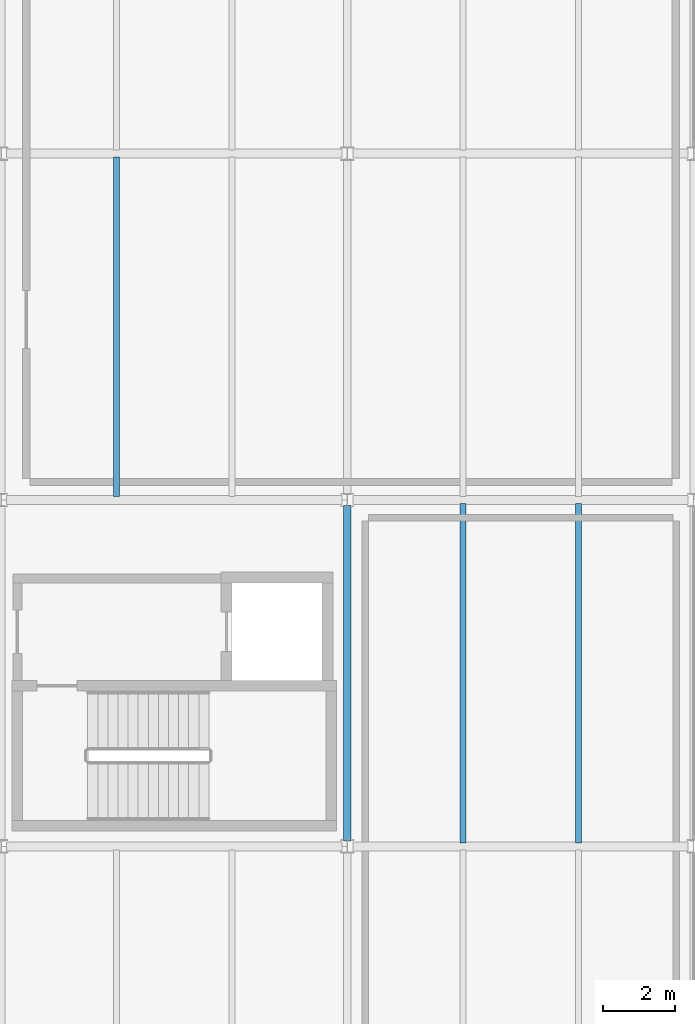
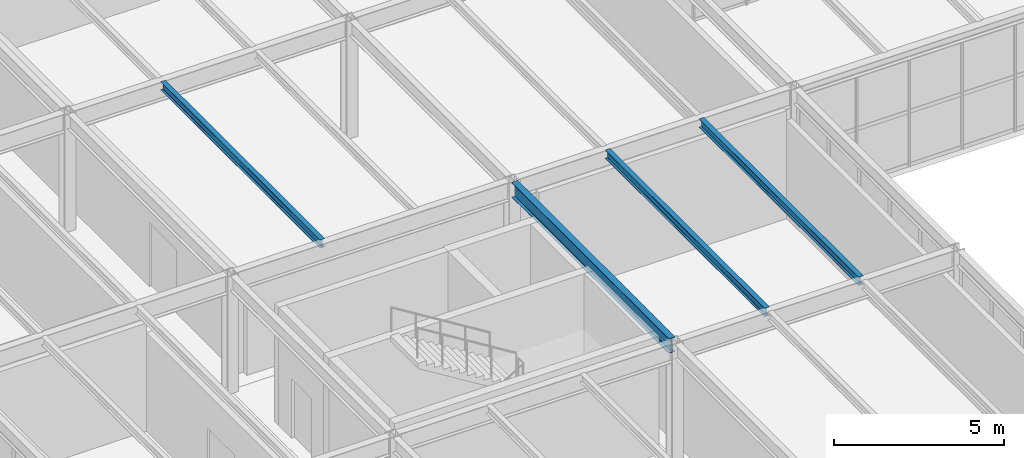
# One storey, part 41 of 170: 4 beams.
"""IFC4 building model written with IfcOpenShell, lengths in metres."""

import ifcopenshell
import ifcopenshell.guid

model = None  # the IFC model being written
_history = None  # IfcOwnerHistory: only IFC2X3 demands one
_inside = {}  # id of a spatial element -> (the spatial element, [elements in it])
_under = {}  # id of a project, library or spatial element -> (it, [spatial elements below it])
_declared = {}  # id of a project -> (the project, [libraries it declares])
_typed = {}  # id of a type object -> (the type object, [elements of that type])
_made_of = {}  # id of a material, layer set ... -> (it, [elements and type objects made of it])


def new_model(schema):
    """Start an empty IFC model of exactly this schema.

    Asked for "IFC4X3", IfcOpenShell would pick the latest addendum, in which some entities
    have other attributes; the version numbers below select the first issue.
    IFC2X3 requires an IfcOwnerHistory on every rooted entity: one is made here for all.
    """
    global model, _history
    if schema == "IFC4X3":
        model = ifcopenshell.file(schema_version=(4, 3, 0, 0))
    else:
        model = ifcopenshell.file(schema=schema)
    _inside.clear()
    _under.clear()
    _declared.clear()
    _typed.clear()
    _made_of.clear()
    _history = None
    if model.schema == "IFC2X3":
        org = make("IfcOrganization", Name="unknown")
        user = make(
            "IfcPersonAndOrganization",
            ThePerson=make("IfcPerson", FamilyName="unknown"),
            TheOrganization=org,
        )
        app = make(
            "IfcApplication",
            ApplicationDeveloper=org,
            Version="unknown",
            ApplicationFullName="unknown",
            ApplicationIdentifier="unknown",
        )
        _history = make(
            "IfcOwnerHistory",
            OwningUser=user,
            OwningApplication=app,
            ChangeAction="ADDED",
            CreationDate=0,
        )
    return model


def make(cls, **values):
    """One entity of the class cls with the attributes given. An attribute that is None is left unset."""
    return model.create_entity(
        cls, **{name: value for name, value in values.items() if value is not None}
    )


def rooted(cls, **values):
    """An entity with a GlobalId (a new one), such as an element, a storey or a relation."""
    return make(cls, GlobalId=ifcopenshell.guid.new(), OwnerHistory=_history, **values)


def si_unit(unit_type, name, prefix=None):
    """IfcSIUnit, for example si_unit("LENGTHUNIT", "METRE", prefix="MILLI")."""
    return make("IfcSIUnit", UnitType=unit_type, Prefix=prefix, Name=name)


def assignment(units):
    """IfcUnitAssignment: the units of a project."""
    return None if units is None else make("IfcUnitAssignment", Units=units)


def point(xyz):
    """IfcCartesianPoint."""
    return None if xyz is None else make("IfcCartesianPoint", Coordinates=xyz)


def direction(xyz):
    """IfcDirection."""
    return None if xyz is None else make("IfcDirection", DirectionRatios=xyz)


def frame(location, z_axis=None, x_axis=None):
    """IfcAxis2Placement3D, a coordinate frame: its origin and axes. An axis left out is left unset."""
    return make(
        "IfcAxis2Placement3D",
        Location=point(location),
        Axis=direction(z_axis),
        RefDirection=direction(x_axis),
    )


def frame_2d(location, x_axis=None):
    """IfcAxis2Placement2D, a coordinate frame in the plane: its origin and x axis."""
    return make(
        "IfcAxis2Placement2D", Location=point(location), RefDirection=direction(x_axis)
    )


def origin():
    """The frame at (0, 0, 0) with its axes left unset."""
    return frame((0.0, 0.0, 0.0))


def origin_2d():
    """The frame at (0, 0) in the plane with its x axis left unset."""
    return frame_2d((0.0, 0.0))


def place(relative_to, where):
    """IfcLocalPlacement: puts the frame where relative to a parent placement (None: the world)."""
    return make(
        "IfcLocalPlacement", PlacementRelTo=relative_to, RelativePlacement=where
    )


def context(
    kind, dimensions, precision=None, world=None, true_north=None, identifier=None
):
    """IfcGeometricRepresentationContext, for example the 3D "Model" context."""
    return make(
        "IfcGeometricRepresentationContext",
        ContextIdentifier=identifier,
        ContextType=kind,
        CoordinateSpaceDimension=dimensions,
        Precision=precision,
        WorldCoordinateSystem=world,
        TrueNorth=true_north,
    )


def subcontext(parent, identifier, kind, view, scale=None):
    """IfcGeometricRepresentationSubContext, for example "Body" below "Model"."""
    return make(
        "IfcGeometricRepresentationSubContext",
        ContextIdentifier=identifier,
        ContextType=kind,
        ParentContext=parent,
        TargetScale=scale,
        TargetView=view,
    )


def project(units=None, contexts=None):
    """IfcProject with its units and contexts."""
    return rooted(
        "IfcProject",
        Name="project",
        RepresentationContexts=contexts,
        UnitsInContext=assignment(units),
    )


def spatial(cls, under=None, at=None, **own):
    """A site, building, storey or space (cls), placed at a placement, below another one or the project."""
    s = rooted(cls, ObjectPlacement=at, **own)
    if under is not None:
        _under.setdefault(under.id(), (under, []))[1].append(s)
    return s


def profile(cls, at=None, kind="AREA", **sizes):
    """A parametric profile (cls). Its sizes go by their IFC names, for example OverallWidth=200.0."""
    return make(cls, ProfileType=kind, Position=at, **sizes)


def i_section(**sizes):
    """IfcIShapeProfileDef."""
    return profile("IfcIShapeProfileDef", **sizes)


def extrude(swept, where, along, depth):
    """IfcExtrudedAreaSolid: the profile swept, set in the frame where, extruded along a direction by depth."""
    return make(
        "IfcExtrudedAreaSolid",
        SweptArea=swept,
        Position=where,
        ExtrudedDirection=direction(along),
        Depth=depth,
    )


def shape(context_of_items, identifier, shape_type, items):
    """IfcShapeRepresentation: the items that make up one representation, for example the "Body"."""
    return make(
        "IfcShapeRepresentation",
        ContextOfItems=context_of_items,
        RepresentationIdentifier=identifier,
        RepresentationType=shape_type,
        Items=items,
    )


def material(Name=None, Category=None):
    """IfcMaterial."""
    return make("IfcMaterial", Name=Name, Category=Category)


def material_profile(
    of_material, cross_section, Name=None, Category=None, Priority=None
):
    """IfcMaterialProfile: a cross section and its material."""
    return make(
        "IfcMaterialProfile",
        Name=Name,
        Material=of_material,
        Profile=cross_section,
        Priority=Priority,
        Category=Category,
    )


def profile_set(profiles, Name=None, composite=None):
    """IfcMaterialProfileSet."""
    return make(
        "IfcMaterialProfileSet",
        Name=Name,
        MaterialProfiles=profiles,
        CompositeProfile=composite,
    )


def made_of(thing, what):
    """Note that an element or type object is made of a material, layer set ...; save() writes the relation."""
    if what is not None:
        _made_of.setdefault(what.id(), (what, []))[1].append(thing)
    return thing


def type_object(cls, material=None, **own):
    """A type object (cls), such as IfcWallType, which elements share."""
    return made_of(rooted(cls, **own), material)


def element(
    cls,
    number,
    at=None,
    inside=None,
    cuts=None,
    type_object=None,
    material=None,
    context=None,
    identifier="Body",
    shape_type=None,
    held_by="IfcProductDefinitionShape",
    body=None,
    shapes=None,
    **own,
):
    """One element of the class cls, such as IfcWall. Its Tag is "e" and its number.

    at: its placement. inside: the storey or other place that contains it. cuts: it is an
    opening in that element (IfcRelVoidsElement). A single representation is given by context,
    identifier, shape_type and body (its items); several are given by shapes. held_by: the class
    of the entity that holds the representations. save() writes the other relations.
    """
    e = rooted(cls, Tag="e%d" % number, ObjectPlacement=at, **own)
    if body is not None:
        shapes = [shape(context, identifier, shape_type, body)]
    if shapes is not None:
        e.Representation = make(held_by, Representations=shapes)
    if inside is not None:
        _inside.setdefault(inside.id(), (inside, []))[1].append(e)
    if cuts is not None:
        rooted(
            "IfcRelVoidsElement", RelatingBuildingElement=cuts, RelatedOpeningElement=e
        )
    if type_object is not None:
        _typed.setdefault(type_object.id(), (type_object, []))[1].append(e)
    return made_of(e, material)


def aggregate(whole, parts):
    """IfcRelAggregates: a whole, such as a stair, and the parts it consists of."""
    return rooted("IfcRelAggregates", RelatingObject=whole, RelatedObjects=parts)


def save(model, path):
    """Write the relations noted so far, then the file.

    IfcRelAggregates (storeys below a building ...), IfcRelContainedInSpatialStructure (elements
    in a storey), IfcRelDefinesByType, IfcRelAssociatesMaterial and IfcRelDeclares: one each for
    every whole, place, type object, material and project.
    """
    for whole, parts in _under.values():
        aggregate(whole, parts)
    for where, things in _inside.values():
        rooted(
            "IfcRelContainedInSpatialStructure",
            RelatedElements=things,
            RelatingStructure=where,
        )
    for kind, things in _typed.values():
        rooted("IfcRelDefinesByType", RelatedObjects=things, RelatingType=kind)
    for what, things in _made_of.values():
        rooted("IfcRelAssociatesMaterial", RelatedObjects=things, RelatingMaterial=what)
    for by, libraries in _declared.values():
        rooted("IfcRelDeclares", RelatingContext=by, RelatedDefinitions=libraries)
    model.write(path)


model = new_model("IFC4")

# Units and contexts
model_context = context("Model", 3, precision=1e-05, world=origin(), true_north=direction((0.0, 1.0)))
body_context = subcontext(model_context, "Body", "Model", "MODEL_VIEW")
ifc_project = project(units=[si_unit("LENGTHUNIT", "METRE"), si_unit("AREAUNIT", "SQUARE_METRE"), si_unit("VOLUMEUNIT", "CUBIC_METRE"), si_unit("PLANEANGLEUNIT", "RADIAN"), si_unit("MASSUNIT", "GRAM", prefix="KILO")], contexts=[model_context])

# Site, building, storey
site_placement = place(None, origin())
site = spatial("IfcSite", under=ifc_project, at=site_placement, CompositionType="ELEMENT")
building_placement = place(site_placement, origin())
building = spatial("IfcBuilding", under=site, at=building_placement, Name="Coralgate Yard Interchange", CompositionType="ELEMENT")
storey_placement = place(building_placement, frame((0.0, 0.0, 6.0)))
storey = spatial("IfcBuildingStorey", under=building, at=storey_placement, Name="L01", CompositionType="ELEMENT", Elevation=6.0)

# Beams
ifc_material = material(Name="Structural steel S355J2", Category="steel")
ifc_material_profile_1 = material_profile(ifc_material, i_section(OverallWidth=0.209228515625, OverallDepth=0.533203125, WebThickness=0.010009765625, FlangeThickness=0.015625, FilletRadius=0.0126953125, at=origin_2d()), Name="UB 533x210x92")
ifc_profile_set_1 = profile_set([ifc_material_profile_1], Name="Structural steel S355J2")
beam_type_1 = type_object("IfcBeamType", Name="BM-SB-1", PredefinedType="BEAM", material=ifc_profile_set_1)
beam_placement = place(storey_placement, frame((19.199951171875, 28.9541015625, 3.9833984375), z_axis=(0.0, 1.0, 0.0), x_axis=(-1.0, 0.0, 0.0)))
element("IfcBeam", 1, at=beam_placement, inside=storey, type_object=beam_type_1, Name="L01 primary grid girder X2 Y3-4", PredefinedType="BEAM", context=body_context, shape_type="SweptSolid", body=[
    extrude(i_section(OverallWidth=0.209228515625, OverallDepth=0.533203125, WebThickness=0.010009765625, FlangeThickness=0.015625, FilletRadius=0.0126953125, at=origin_2d()), origin(), (0.0, 0.0, 1.0), 9.291748046875),
])
ifc_material_profile_2 = material_profile(ifc_material, i_section(OverallWidth=0.1650390625, OverallDepth=0.303466796875, WebThickness=0.006103515625, FlangeThickness=0.01025390625, FilletRadius=0.0087890625, at=origin_2d()), Name="UB 305x165x40")
ifc_profile_set_2 = profile_set([ifc_material_profile_2], Name="Structural steel S355J2")
beam_type_2 = type_object("IfcBeamType", Name="BM-SJ-1", PredefinedType="JOIST", material=ifc_profile_set_2)
for number, where, z_axis, x_axis, name in (
    (2, (12.800048828125, 38.496826171875, 4.098388671875), (0.0, 1.0, 0.0), (-1.0, 0.0, 0.0), "L01 composite floor joist 1-4-1"),
    (3, (22.39990234375, 28.896728515625, 4.098388671875), (0.0, 1.0, 0.0), (-1.0, 0.0, 0.0), "L01 composite floor joist 2-3-1"),
    (4, (25.60009765625, 28.896728515625, 4.098388671875), (0.0, 1.0, 0.0), (-1.0, 0.0, 0.0), "L01 composite floor joist 2-3-2"),
):
    element("IfcBeam", number, at=place(storey_placement, frame(where, z_axis=z_axis, x_axis=x_axis)), inside=storey, type_object=beam_type_2, Name=name, PredefinedType="JOIST", context=body_context, shape_type="SweptSolid", body=[
        extrude(i_section(OverallWidth=0.1650390625, OverallDepth=0.303466796875, WebThickness=0.006103515625, FlangeThickness=0.01025390625, FilletRadius=0.0087890625, at=origin_2d()), origin(), (0.0, 0.0, 1.0), 9.40625),
    ])

save(model, "model.ifc")
